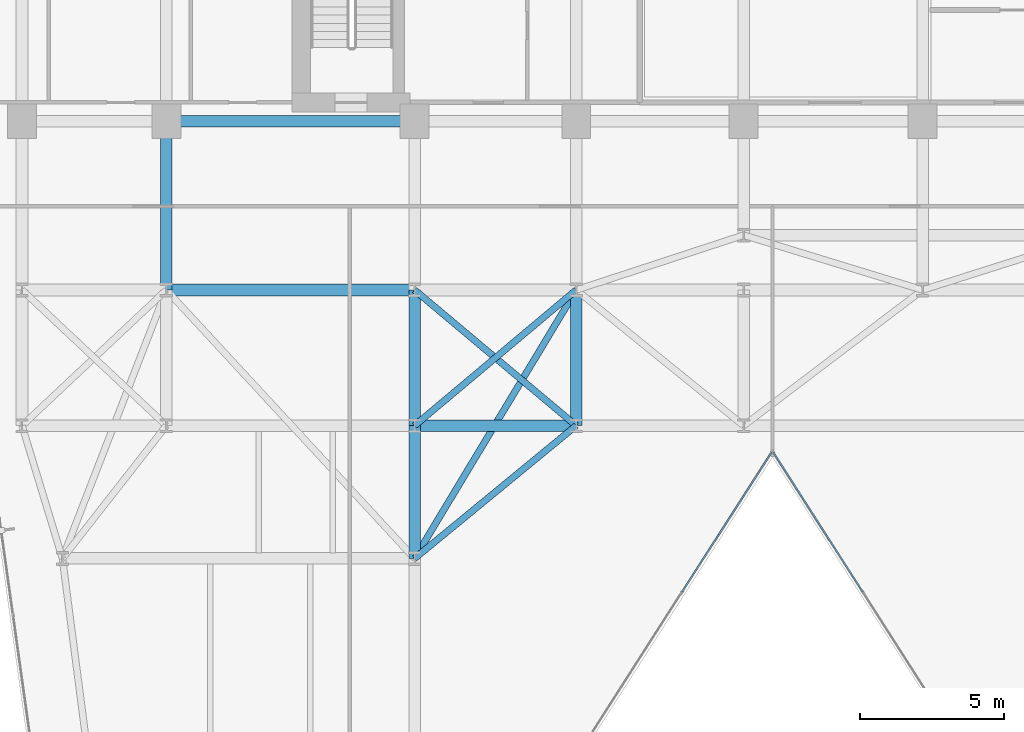
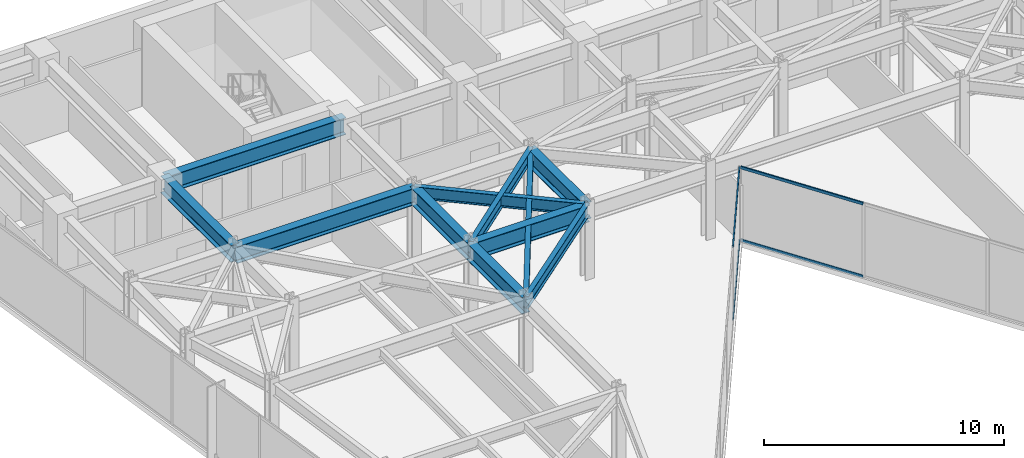
# One storey, part 12 of 26: 11 beams, 4 members, 2 elements without a shape of their own.
"""IFC4 building model written with IfcOpenShell, lengths in metres."""

from ifc_helpers import new_model, si_unit, direction, frame, origin, origin_2d, place, context, subcontext, project, spatial, hollow_rectangle, i_section, extrude, material, layer, layer_set, material_profile, profile_set, type_object, element, aggregate, save


model = new_model("IFC4")

# Units and contexts
model_context = context("Model", 3, precision=1e-05, world=origin(), true_north=direction((0.0, 1.0)))
body_context = subcontext(model_context, "Body", "Model", "MODEL_VIEW")
ifc_project = project(units=[si_unit("LENGTHUNIT", "METRE"), si_unit("AREAUNIT", "SQUARE_METRE"), si_unit("VOLUMEUNIT", "CUBIC_METRE"), si_unit("PLANEANGLEUNIT", "RADIAN"), si_unit("MASSUNIT", "GRAM", prefix="KILO")], contexts=[model_context])

# Site, building, storey
site_placement = place(None, origin())
site = spatial("IfcSite", under=ifc_project, at=site_placement, CompositionType="ELEMENT")
building_placement = place(site_placement, origin())
building = spatial("IfcBuilding", under=site, at=building_placement, Name="Kravanh Interchange Tower", CompositionType="ELEMENT")
storey_placement = place(building_placement, frame((0.0, 0.0, 108.0)))
storey = spatial("IfcBuildingStorey", under=building, at=storey_placement, Name="L25", CompositionType="ELEMENT", Elevation=108.0)

# Curtain wall, members
ifc_material_1 = material(Name="Anodised Bronze Aluminium", Category="aluminium")
ifc_layer = layer(ifc_material_1, 0.179931640625)
ifc_layer_set = layer_set([ifc_layer], Name="Unitised Curtain Wall System CW-Z2 Mid Office")
curtain_wall_type = type_object("IfcCurtainWallType", Name="Unitised Curtain Wall System CW-Z2 Mid Office", PredefinedType="NOTDEFINED", material=ifc_layer_set)
curtain_wall_1_placement = place(storey_placement, origin())
curtain_wall_1 = element("IfcCurtainWall", 1, at=curtain_wall_1_placement, inside=storey, type_object=curtain_wall_type, Name="L25 Unitised Curtain Wall CW-L25-04", PredefinedType="NOTDEFINED")
ifc_material_2 = material(Name="Anodised Bronze Aluminium", Category="aluminium")
ifc_material_profile_1 = material_profile(ifc_material_2, hollow_rectangle(XDim=0.06005859375, YDim=0.139892578125, WallThickness=0.00390625, at=origin_2d()), Name="ALU60X140X4")
ifc_profile_set_1 = profile_set([ifc_material_profile_1], Name="Anodised Bronze Aluminium")
member_type = type_object("IfcMemberType", Name="Curtain Wall Transom ALU60X140X4 Bronze", PredefinedType="USERDEFINED", material=ifc_profile_set_1)
member_1_placement = place(storey_placement, frame((42.72509765625, 21.047119140625, 0.030029296875), z_axis=(-0.53966766312, 0.841878146398, 0.0), x_axis=(-0.841878146398, -0.53966766312, 0.0)))
member_1 = element("IfcMember", 2, at=member_1_placement, type_object=member_type, Name="CW-Z2 transom 4.1", ObjectType="TRANSOM", PredefinedType="USERDEFINED", context=body_context, shape_type="SweptSolid", body=[
    extrude(hollow_rectangle(XDim=0.06005859375, YDim=0.139892578125, WallThickness=0.00390625, at=origin_2d()), origin(), (0.0, 0.0, 1.0), 5.73095703125),
])
member_2_placement = place(storey_placement, frame((42.72509765625, 21.047119140625, 3.719970703125), z_axis=(-0.53966766312, 0.841878146398, 0.0), x_axis=(-0.841878146398, -0.53966766312, 0.0)))
member_2 = element("IfcMember", 3, at=member_2_placement, type_object=member_type, Name="CW-Z2 transom 4.2", ObjectType="TRANSOM", PredefinedType="USERDEFINED", context=body_context, shape_type="SweptSolid", body=[
    extrude(hollow_rectangle(XDim=0.06005859375, YDim=0.139892578125, WallThickness=0.00390625, at=origin_2d()), origin(), (0.0, 0.0, 1.0), 5.73095703125),
])
aggregate(curtain_wall_1, [member_1, member_2])

curtain_wall_2_placement = place(storey_placement, origin())
curtain_wall_2 = element("IfcCurtainWall", 4, at=curtain_wall_2_placement, inside=storey, type_object=curtain_wall_type, Name="L25 Unitised Curtain Wall CW-L25-05", PredefinedType="NOTDEFINED")
member_3_placement = place(storey_placement, frame((39.567626953125, 25.871826171875, 0.030029296875), z_axis=(-0.53966766312, -0.841878146398, 0.0), x_axis=(0.841878146398, -0.53966766312, 0.0)))
member_3 = element("IfcMember", 5, at=member_3_placement, type_object=member_type, Name="CW-Z2 transom 1.1", ObjectType="TRANSOM", PredefinedType="USERDEFINED", context=body_context, shape_type="SweptSolid", body=[
    extrude(hollow_rectangle(XDim=0.06005859375, YDim=0.139892578125, WallThickness=0.00390625, at=origin_2d()), origin(), (0.0, 0.0, 1.0), 5.73095703125),
])
member_4_placement = place(storey_placement, frame((39.567626953125, 25.871826171875, 3.719970703125), z_axis=(-0.53966766312, -0.841878146398, 0.0), x_axis=(0.841878146398, -0.53966766312, 0.0)))
member_4 = element("IfcMember", 6, at=member_4_placement, type_object=member_type, Name="CW-Z2 transom 1.2", ObjectType="TRANSOM", PredefinedType="USERDEFINED", context=body_context, shape_type="SweptSolid", body=[
    extrude(hollow_rectangle(XDim=0.06005859375, YDim=0.139892578125, WallThickness=0.00390625, at=origin_2d()), origin(), (0.0, 0.0, 1.0), 5.73095703125),
])
aggregate(curtain_wall_2, [member_3, member_4])

# Beams
ifc_material_3 = material(Name="Structural Steel S355", Category="steel")
ifc_material_profile_2 = material_profile(ifc_material_3, i_section(OverallWidth=0.39990234375, OverallDepth=0.85595703125, WebThickness=0.018310546875, FlangeThickness=0.029296875, FilletRadius=0.02490234375, at=origin_2d()), Name="W33X201")
ifc_profile_set_2 = profile_set([ifc_material_profile_2], Name="Structural Steel S355")
beam_type_1 = type_object("IfcBeamType", Name="Floor Beam W33X201 Structural Steel S355", PredefinedType="BEAM", material=ifc_profile_set_2)
beam_1_placement = place(storey_placement, frame((27.199951171875, 37.35009765625, 3.322021484375), z_axis=(-1.0, 0.0, 0.0), x_axis=(0.0, -1.0, 0.0)))
element("IfcBeam", 7, at=beam_1_placement, inside=storey, type_object=beam_type_1, Name="L25 Primary Floor Girder 25", PredefinedType="BEAM", context=body_context, shape_type="SweptSolid", body=[
    extrude(i_section(OverallWidth=0.39990234375, OverallDepth=0.85595703125, WebThickness=0.018310546875, FlangeThickness=0.029296875, FilletRadius=0.02490234375, at=origin_2d()), origin(), (0.0, 0.0, 1.0), 8.599853515625),
])
beam_2_placement = place(storey_placement, frame((18.60009765625, 37.35009765625, 3.322021484375), z_axis=(0.0, -1.0, 0.0), x_axis=(1.0, 0.0, 0.0)))
element("IfcBeam", 8, at=beam_2_placement, inside=storey, type_object=beam_type_1, Name="L25 Primary Floor Girder 29", PredefinedType="BEAM", context=body_context, shape_type="SweptSolid", body=[
    extrude(i_section(OverallWidth=0.39990234375, OverallDepth=0.85595703125, WebThickness=0.018310546875, FlangeThickness=0.029296875, FilletRadius=0.02490234375, at=origin_2d()), origin(), (0.0, 0.0, 1.0), 5.85009765625),
])
beam_3_placement = place(storey_placement, frame((27.199951171875, 26.800048828125, 3.322021484375), z_axis=(0.0, -1.0, 0.0), x_axis=(1.0, 0.0, 0.0)))
element("IfcBeam", 9, at=beam_3_placement, inside=storey, type_object=beam_type_1, Name="L25 Primary Floor Girder 45", PredefinedType="BEAM", context=body_context, shape_type="SweptSolid", body=[
    extrude(i_section(OverallWidth=0.39990234375, OverallDepth=0.85595703125, WebThickness=0.018310546875, FlangeThickness=0.029296875, FilletRadius=0.02490234375, at=origin_2d()), origin(), (0.0, 0.0, 1.0), 4.60009765625),
])
beam_4_placement = place(storey_placement, frame((27.199951171875, 26.800048828125, 3.322021484375), z_axis=(0.0, 1.0, 0.0), x_axis=(-1.0, 0.0, 0.0)))
element("IfcBeam", 10, at=beam_4_placement, inside=storey, type_object=beam_type_1, Name="L25 Primary Floor Girder 46", PredefinedType="BEAM", context=body_context, shape_type="SweptSolid", body=[
    extrude(i_section(OverallWidth=0.39990234375, OverallDepth=0.85595703125, WebThickness=0.018310546875, FlangeThickness=0.029296875, FilletRadius=0.02490234375, at=origin_2d()), origin(), (0.0, 0.0, 1.0), 4.699951171875),
])
beam_5_placement = place(storey_placement, frame((27.199951171875, 26.800048828125, 3.322021484375), z_axis=(1.0, 0.0, 0.0), x_axis=(0.0, 1.0, 0.0)))
element("IfcBeam", 11, at=beam_5_placement, inside=storey, type_object=beam_type_1, Name="L25 Primary Floor Girder 47", PredefinedType="BEAM", context=body_context, shape_type="SweptSolid", body=[
    extrude(i_section(OverallWidth=0.39990234375, OverallDepth=0.85595703125, WebThickness=0.018310546875, FlangeThickness=0.029296875, FilletRadius=0.02490234375, at=origin_2d()), origin(), (0.0, 0.0, 1.0), 5.60009765625),
])
beam_6_placement = place(storey_placement, frame((32.800048828125, 26.800048828125, 3.322021484375), z_axis=(0.0, 1.0, 0.0), x_axis=(-1.0, 0.0, 0.0)))
element("IfcBeam", 12, at=beam_6_placement, inside=storey, type_object=beam_type_1, Name="L25 Primary Floor Girder 49", PredefinedType="BEAM", context=body_context, shape_type="SweptSolid", body=[
    extrude(i_section(OverallWidth=0.39990234375, OverallDepth=0.85595703125, WebThickness=0.018310546875, FlangeThickness=0.029296875, FilletRadius=0.02490234375, at=origin_2d()), origin(), (0.0, 0.0, 1.0), 4.699951171875),
])
beam_7_placement = place(storey_placement, frame((18.60009765625, 31.5, 3.322021484375), z_axis=(1.0, 0.0, 0.0), x_axis=(0.0, 1.0, 0.0)))
element("IfcBeam", 13, at=beam_7_placement, inside=storey, type_object=beam_type_1, Name="L25 Primary Floor Girder 71", PredefinedType="BEAM", context=body_context, shape_type="SweptSolid", body=[
    extrude(i_section(OverallWidth=0.39990234375, OverallDepth=0.85595703125, WebThickness=0.018310546875, FlangeThickness=0.029296875, FilletRadius=0.02490234375, at=origin_2d()), origin(), (0.0, 0.0, 1.0), 8.599853515625),
])
ifc_material_4 = material(Name="Structural Steel S355", Category="steel")
ifc_material_profile_3 = material_profile(ifc_material_4, i_section(OverallWidth=0.22802734375, OverallDepth=0.60791015625, WebThickness=0.01123046875, FlangeThickness=0.017333984375, FilletRadius=0.02197265625, at=origin_2d()), Name="W24X76")
ifc_profile_set_3 = profile_set([ifc_material_profile_3], Name="Structural Steel S355")
beam_type_2 = type_object("IfcBeamType", Name="Floor Spandrel W24X76 Structural Steel S355", PredefinedType="SPANDREL", material=ifc_profile_set_3)
beam_8_placement = place(storey_placement, frame((27.199951171875, 26.800048828125, 3.446044921875), z_axis=(0.765983062929, 0.642860752657, 0.0), x_axis=(-0.642860752657, 0.765983062929, 0.0)))
element("IfcBeam", 14, at=beam_8_placement, inside=storey, type_object=beam_type_2, Name="L25 Perimeter Spandrel 48", PredefinedType="SPANDREL", context=body_context, shape_type="SweptSolid", body=[
    extrude(i_section(OverallWidth=0.22802734375, OverallDepth=0.60791015625, WebThickness=0.01123046875, FlangeThickness=0.017333984375, FilletRadius=0.02197265625, at=origin_2d()), origin(), (0.0, 0.0, 1.0), 7.31103515625),
])
beam_9_placement = place(storey_placement, frame((32.800048828125, 26.800048828125, 3.446044921875), z_axis=(-0.772725074305, -0.634740860147, 0.0), x_axis=(0.634740860147, -0.772725074305, 0.0)))
element("IfcBeam", 15, at=beam_9_placement, inside=storey, type_object=beam_type_2, Name="L25 Perimeter Spandrel 51", PredefinedType="SPANDREL", context=body_context, shape_type="SweptSolid", body=[
    extrude(i_section(OverallWidth=0.22802734375, OverallDepth=0.60791015625, WebThickness=0.01123046875, FlangeThickness=0.017333984375, FilletRadius=0.02197265625, at=origin_2d()), origin(), (0.0, 0.0, 1.0), 7.247314453125),
])
beam_10_placement = place(storey_placement, frame((32.800048828125, 26.800048828125, 3.446044921875), z_axis=(-0.765983062929, 0.642860752657, 0.0), x_axis=(-0.642860752657, -0.765983062929, 0.0)))
element("IfcBeam", 16, at=beam_10_placement, inside=storey, type_object=beam_type_2, Name="L25 Perimeter Spandrel 52", PredefinedType="SPANDREL", context=body_context, shape_type="SweptSolid", body=[
    extrude(i_section(OverallWidth=0.22802734375, OverallDepth=0.60791015625, WebThickness=0.01123046875, FlangeThickness=0.017333984375, FilletRadius=0.02197265625, at=origin_2d()), origin(), (0.0, 0.0, 1.0), 7.31103515625),
])
beam_11_placement = place(storey_placement, frame((32.800048828125, 31.5, 3.446044921875), z_axis=(-0.515854375109, -0.856676288735, 0.0), x_axis=(0.856676288735, -0.515854375109, 0.0)))
element("IfcBeam", 17, at=beam_11_placement, inside=storey, type_object=beam_type_2, Name="L25 Perimeter Spandrel 80", PredefinedType="SPANDREL", context=body_context, shape_type="SweptSolid", body=[
    extrude(i_section(OverallWidth=0.22802734375, OverallDepth=0.60791015625, WebThickness=0.01123046875, FlangeThickness=0.017333984375, FilletRadius=0.02197265625, at=origin_2d()), origin(), (0.0, 0.0, 1.0), 10.85595703125),
])

save(model, "model.ifc")
